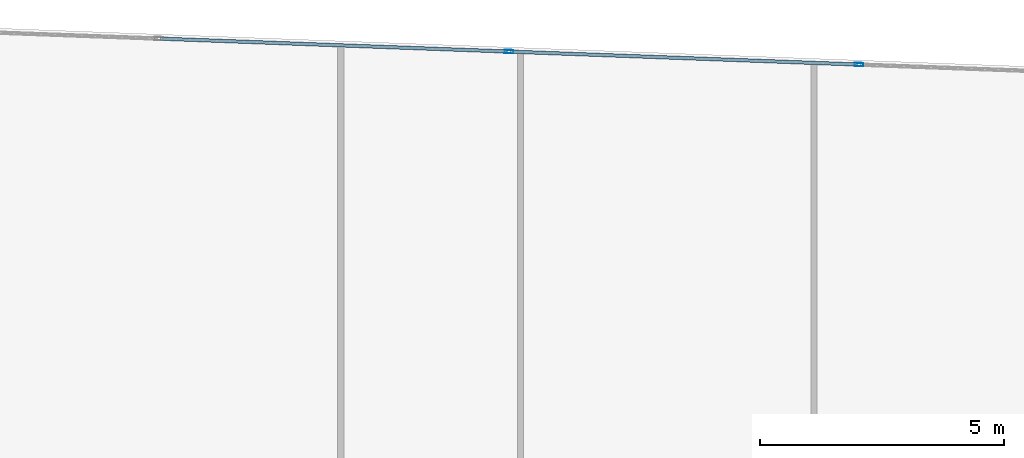
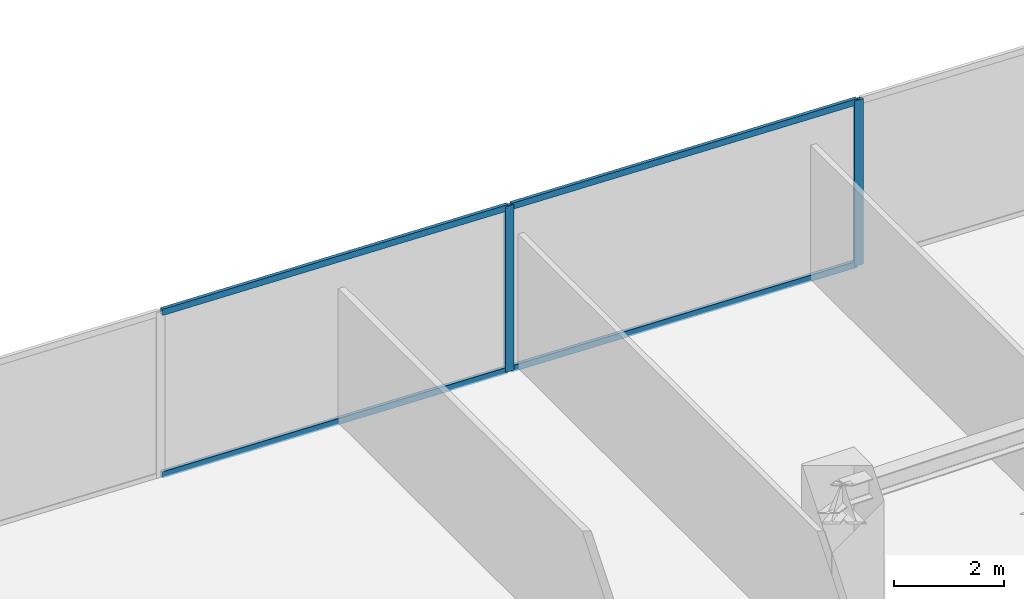
# One storey, part 22 of 30: 6 members, 1 element without a shape of its own.
"""IFC4 building model written with IfcOpenShell, lengths in metres."""

from ifc_helpers import new_model, si_unit, direction, frame, origin, origin_2d, place, context, subcontext, project, spatial, hollow_rectangle, extrude, source, transform, mapped, material, material_profile, profile_set, type_object, type_shapes, element, aggregate, save


model = new_model("IFC4")

# Units and contexts
model_context = context("Model", 3, precision=1e-05, world=origin(), true_north=direction((0.0, 1.0)))
body_context = subcontext(model_context, "Body", "Model", "MODEL_VIEW")
ifc_project = project(units=[si_unit("LENGTHUNIT", "METRE"), si_unit("AREAUNIT", "SQUARE_METRE"), si_unit("VOLUMEUNIT", "CUBIC_METRE"), si_unit("PLANEANGLEUNIT", "RADIAN"), si_unit("MASSUNIT", "GRAM", prefix="KILO")], contexts=[model_context])

# Site, building, storey
site_placement = place(None, origin())
site = spatial("IfcSite", under=ifc_project, at=site_placement, CompositionType="ELEMENT")
building_placement = place(site_placement, origin())
building = spatial("IfcBuilding", under=site, at=building_placement, Name="Krantzveldt Concourse Tower", CompositionType="ELEMENT")
storey_placement = place(building_placement, frame((0.0, 0.0, 44.75)))
storey = spatial("IfcBuildingStorey", under=building, at=storey_placement, Name="L10", CompositionType="ELEMENT", Elevation=44.75)

# Curtain wall, members
ifc_material = material(Name="Anodised aluminium 6063-T6", Category="aluminium")
curtain_wall_type = type_object("IfcCurtainWallType", Name="CW2", PredefinedType="USERDEFINED", material=ifc_material)
curtain_wall_placement = place(storey_placement, origin())
curtain_wall = element("IfcCurtainWall", 1, at=curtain_wall_placement, inside=storey, type_object=curtain_wall_type, Name="CW-L10-F10", ObjectType="UNITISED CURTAIN WALL", PredefinedType="USERDEFINED")
ifc_material_profile_1 = material_profile(ifc_material, hollow_rectangle(XDim=0.070068359375, YDim=0.179931640625, WallThickness=0.0048828125, at=origin_2d()), Name="Anodised aluminium 6063-T6", Category="aluminium")
ifc_profile_set_1 = profile_set([ifc_material_profile_1], Name="Anodised aluminium 6063-T6 - ALU-MULL 180x70x5")
member_type_1 = type_object("IfcMemberType", Name="CW-MUL-180", PredefinedType="MULLION", material=ifc_profile_set_1)
shared_shape_1 = source(origin(), body_context, "Body", "SweptSolid", [
    extrude(hollow_rectangle(XDim=0.070068359375, YDim=0.179931640625, WallThickness=0.0048828125, at=origin_2d()), origin(), (0.0, 0.0, 1.0), 3.669921875),
])
type_shapes(member_type_1, [shared_shape_1])
member_1_placement = place(storey_placement, frame((36.923583984375, 51.5927734375, 0.0), z_axis=(0.0, 0.0, 1.0), x_axis=(-0.037079766834, -0.999312308986, 0.0)))
member_1 = element("IfcMember", 2, at=member_1_placement, type_object=member_type_1, Name="CW-Z12 mullion 4", PredefinedType="MULLION", context=body_context, shape_type="MappedRepresentation", body=[
    mapped(shared_shape_1, transform((0.0, 0.0, 0.0), x_axis=(1.0, 0.0, 0.0), y_axis=(0.0, 1.0, 0.0), z_axis=(0.0, 0.0, 1.0), scale=1.0)),
])
member_2_placement = place(storey_placement, frame((29.761962890625, 51.858642578125, 0.0), z_axis=(0.0, 0.0, 1.0), x_axis=(-0.037079766834, -0.999312308986, 0.0)))
member_2 = element("IfcMember", 3, at=member_2_placement, type_object=member_type_1, Name="CW-Z12 mullion 5", PredefinedType="MULLION", context=body_context, shape_type="MappedRepresentation", body=[
    mapped(shared_shape_1, transform((0.0, 0.0, 0.0), x_axis=(1.0, 0.0, 0.0), y_axis=(0.0, 1.0, 0.0), z_axis=(0.0, 0.0, 1.0), scale=1.0)),
])
ifc_material_profile_2 = material_profile(ifc_material, hollow_rectangle(XDim=0.070068359375, YDim=0.139892578125, WallThickness=0.0048828125, at=origin_2d()), Name="Anodised aluminium 6063-T6", Category="aluminium")
ifc_profile_set_2 = profile_set([ifc_material_profile_2], Name="Anodised aluminium 6063-T6 - ALU-TRAN 140x70x5")
member_type_2 = type_object("IfcMemberType", Name="CW-TRN-150", PredefinedType="USERDEFINED", material=ifc_profile_set_2)
shared_shape_2 = source(origin(), body_context, "Body", "SweptSolid", [
    extrude(hollow_rectangle(XDim=0.070068359375, YDim=0.139892578125, WallThickness=0.0048828125, at=origin_2d()), origin(), (0.0, 0.0, 1.0), 7.0966796875),
])
type_shapes(member_type_2, [shared_shape_2])
member_3_placement = place(storey_placement, frame((36.888671875, 51.59423828125, 0.034912109375), z_axis=(-0.999312097724, 0.037085459975, 0.0), x_axis=(-0.037085459975, -0.999312097724, 0.0)))
member_3 = element("IfcMember", 4, at=member_3_placement, type_object=member_type_2, Name="CW-Z12 transom 4.1", ObjectType="TRANSOM", PredefinedType="USERDEFINED", context=body_context, shape_type="MappedRepresentation", body=[
    mapped(shared_shape_2, transform((0.0, 0.0, 0.0), x_axis=(1.0, 0.0, 0.0), y_axis=(0.0, 1.0, 0.0), z_axis=(0.0, 0.0, 1.0), scale=1.0)),
])
member_4_placement = place(storey_placement, frame((36.888671875, 51.59423828125, 3.635009765625), z_axis=(-0.999312097724, 0.037085459975, 0.0), x_axis=(-0.037085459975, -0.999312097724, 0.0)))
member_4 = element("IfcMember", 5, at=member_4_placement, type_object=member_type_2, Name="CW-Z12 transom 4.2", ObjectType="TRANSOM", PredefinedType="USERDEFINED", context=body_context, shape_type="MappedRepresentation", body=[
    mapped(shared_shape_2, transform((0.0, 0.0, 0.0), x_axis=(1.0, 0.0, 0.0), y_axis=(0.0, 1.0, 0.0), z_axis=(0.0, 0.0, 1.0), scale=1.0)),
])
member_5_placement = place(storey_placement, frame((29.72705078125, 51.85986328125, 0.034912109375), z_axis=(-0.999312097724, 0.037085459975, 0.0), x_axis=(-0.037085459975, -0.999312097724, 0.0)))
member_5 = element("IfcMember", 6, at=member_5_placement, type_object=member_type_2, Name="CW-Z12 transom 5.1", ObjectType="TRANSOM", PredefinedType="USERDEFINED", context=body_context, shape_type="MappedRepresentation", body=[
    mapped(shared_shape_2, transform((0.0, 0.0, 0.0), x_axis=(1.0, 0.0, 0.0), y_axis=(0.0, 1.0, 0.0), z_axis=(0.0, 0.0, 1.0), scale=1.0)),
])
member_6_placement = place(storey_placement, frame((29.72705078125, 51.85986328125, 3.635009765625), z_axis=(-0.999312097724, 0.037085459975, 0.0), x_axis=(-0.037085459975, -0.999312097724, 0.0)))
member_6 = element("IfcMember", 7, at=member_6_placement, type_object=member_type_2, Name="CW-Z12 transom 5.2", ObjectType="TRANSOM", PredefinedType="USERDEFINED", context=body_context, shape_type="MappedRepresentation", body=[
    mapped(shared_shape_2, transform((0.0, 0.0, 0.0), x_axis=(1.0, 0.0, 0.0), y_axis=(0.0, 1.0, 0.0), z_axis=(0.0, 0.0, 1.0), scale=1.0)),
])
aggregate(curtain_wall, [member_1, member_2, member_3, member_4, member_5, member_6])

save(model, "model.ifc")
